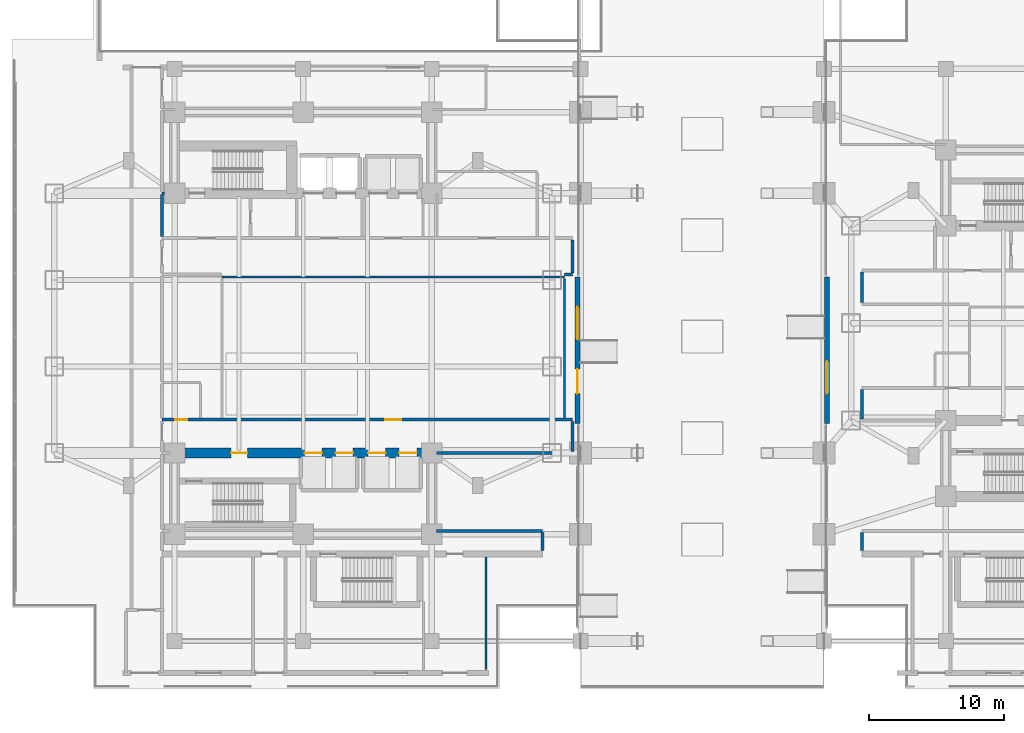
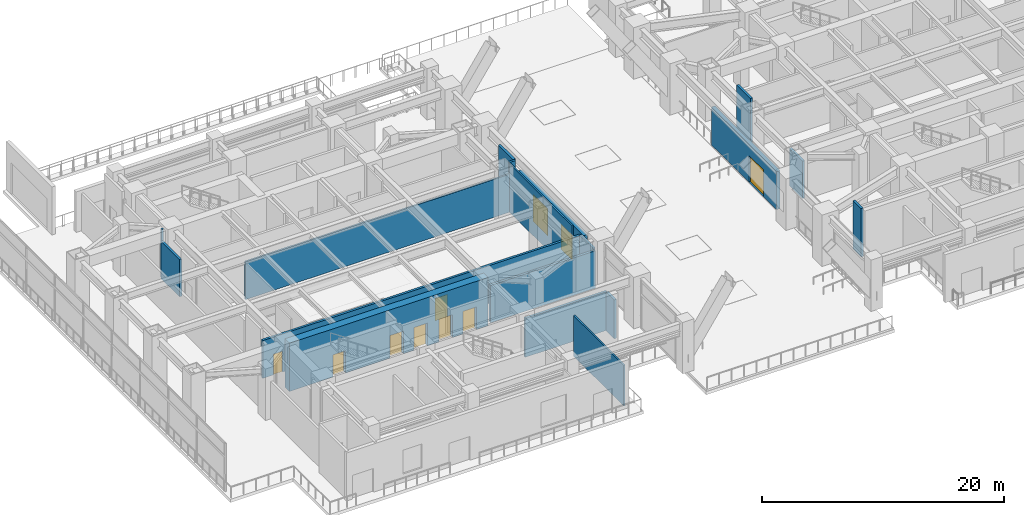
# One storey, part 11 of 27: 18 walls, 10 doors, 10 openings.
"""IFC4 building model written with IfcOpenShell, lengths in metres."""

from ifc_helpers import new_model, si_unit, direction, frame, frame_2d, origin, place, context, subcontext, project, spatial, rectangle, extrude, material, layer, layer_set, type_object, element, fill, save


model = new_model("IFC4")

# Units and contexts
model_context = context("Model", 3, precision=1e-05, world=origin(), true_north=direction((0.0, 1.0)))
body_context = subcontext(model_context, "Body", "Model", "MODEL_VIEW")
ifc_project = project(units=[si_unit("LENGTHUNIT", "METRE"), si_unit("AREAUNIT", "SQUARE_METRE"), si_unit("VOLUMEUNIT", "CUBIC_METRE"), si_unit("PLANEANGLEUNIT", "RADIAN"), si_unit("MASSUNIT", "GRAM", prefix="KILO")], contexts=[model_context])

# Site, building, storey
site_placement = place(None, origin())
site = spatial("IfcSite", under=ifc_project, at=site_placement, CompositionType="ELEMENT")
building_placement = place(site_placement, origin())
building = spatial("IfcBuilding", under=site, at=building_placement, Name="Mirazonda Arch Towers", CompositionType="ELEMENT")
storey_placement = place(building_placement, origin())
storey = spatial("IfcBuildingStorey", under=building, at=storey_placement, Name="L00", CompositionType="ELEMENT", Elevation=0.0)

# Wall, openings, doors
ifc_material_1 = material(Name="Concrete C60/75", Category="concrete")
ifc_layer_1 = layer(ifc_material_1, 0.75, Name="WALL-CORE-750")
ifc_layer_set_1 = layer_set([ifc_layer_1], Name="Concrete C60/75")
wall_type_1 = type_object("IfcWallType", Name="WALL-CORE-750", PredefinedType="SHEAR", material=ifc_layer_set_1)
wall_1_placement = place(storey_placement, frame((11.0, 18.39990234375, 0.0), z_axis=(0.0, 0.0, 1.0), x_axis=(1.0, 0.0, 0.0)))
wall_1 = element("IfcWall", 1, at=wall_1_placement, inside=storey, type_object=wall_type_1, Name="L00 T1S-N Core Shear Wall", PredefinedType="SHEAR", context=body_context, shape_type="SweptSolid", body=[
    extrude(rectangle(XDim=19.0, YDim=0.75, at=frame_2d((9.5, 0.0))), origin(), (0.0, 0.0, 1.0), 4.8798828125),
])
opening_1_placement = place(wall_1_placement, frame((4.175048828125, 0.0, 0.0)))
opening_1 = element("IfcOpeningElement", 2, at=opening_1_placement, cuts=wall_1, Name="Opening DR-117", PredefinedType="OPENING", context=body_context, shape_type="SweptSolid", body=[
    extrude(rectangle(XDim=1.199951171875, YDim=2.25, at=frame_2d((0.60009765625, 1.125))), frame((0.0, 0.385009765625, 0.0), z_axis=(0.0, -1.0, 0.0), x_axis=(1.0, 0.0, 0.0)), (0.0, 0.0, 1.0), 0.77001953125),
])
opening_2_placement = place(wall_1_placement, frame((9.60009765625, 0.0, 0.0)))
opening_2 = element("IfcOpeningElement", 3, at=opening_2_placement, cuts=wall_1, Name="Opening LD-111", PredefinedType="OPENING", context=body_context, shape_type="SweptSolid", body=[
    extrude(rectangle(XDim=1.300048828125, YDim=2.300048828125, at=frame_2d((0.64990234375, 1.14990234375))), frame((0.0, 0.385009765625, 0.0), z_axis=(0.0, -1.0, 0.0), x_axis=(1.0, 0.0, 0.0)), (0.0, 0.0, 1.0), 0.77001953125),
])
opening_3_placement = place(wall_1_placement, frame((11.89990234375, 0.0, 0.0)))
opening_3 = element("IfcOpeningElement", 4, at=opening_3_placement, cuts=wall_1, Name="Opening LD-111", PredefinedType="OPENING", context=body_context, shape_type="SweptSolid", body=[
    extrude(rectangle(XDim=1.300048828125, YDim=2.300048828125, at=frame_2d((0.64990234375, 1.14990234375))), frame((0.0, 0.385009765625, 0.0), z_axis=(0.0, -1.0, 0.0), x_axis=(1.0, 0.0, 0.0)), (0.0, 0.0, 1.0), 0.77001953125),
])
opening_4_placement = place(wall_1_placement, frame((14.300048828125, 0.0, 0.0)))
opening_4 = element("IfcOpeningElement", 5, at=opening_4_placement, cuts=wall_1, Name="Opening LD-111", PredefinedType="OPENING", context=body_context, shape_type="SweptSolid", body=[
    extrude(rectangle(XDim=1.300048828125, YDim=2.300048828125, at=frame_2d((0.64990234375, 1.14990234375))), frame((0.0, 0.385009765625, 0.0), z_axis=(0.0, -1.0, 0.0), x_axis=(1.0, 0.0, 0.0)), (0.0, 0.0, 1.0), 0.77001953125),
])
opening_5_placement = place(wall_1_placement, frame((16.60009765625, 0.0, 0.0)))
opening_5 = element("IfcOpeningElement", 6, at=opening_5_placement, cuts=wall_1, Name="Opening LD-111", PredefinedType="OPENING", context=body_context, shape_type="SweptSolid", body=[
    extrude(rectangle(XDim=1.300048828125, YDim=2.300048828125, at=frame_2d((0.64990234375, 1.14990234375))), frame((0.0, 0.385009765625, 0.0), z_axis=(0.0, -1.0, 0.0), x_axis=(1.0, 0.0, 0.0)), (0.0, 0.0, 1.0), 0.77001953125),
])
ifc_material_2 = material(Name="Architectural Brushed Steel S355", Category="steel")
door_type_1 = type_object("IfcDoorType", Name="DOOR-FFL-FD90-1200", OperationType="NOTDEFINED", PredefinedType="DOOR", material=ifc_material_2)
door_1_placement = place(opening_1_placement, origin())
door_1 = element("IfcDoor", 7, at=door_1_placement, inside=storey, type_object=door_type_1, Name="L00 South Core Stair & Lift Lobby Door", OperationType="SINGLE_SWING_LEFT", OverallHeight=2.25, OverallWidth=1.199951171875, PredefinedType="DOOR", context=body_context, shape_type="SweptSolid", body=[
    extrude(rectangle(XDim=1.199951171875, YDim=2.25, at=frame_2d((0.60009765625, 1.125))), frame((0.0, 0.02490234375, 0.0), z_axis=(0.0, -1.0, 0.0), x_axis=(1.0, 0.0, 0.0)), (0.0, 0.0, 1.0), 0.050048828125),
])
fill(opening_1, door_1)
door_type_2 = type_object("IfcDoorType", Name="DOOR-LIFT-LAND-1300", OperationType="NOTDEFINED", PredefinedType="DOOR", material=ifc_material_2)
door_2_placement = place(opening_2_placement, origin())
door_2 = element("IfcDoor", 8, at=door_2_placement, inside=storey, type_object=door_type_2, Name="L00 Lift Landing Sliding Door PL-T1M1", OperationType="DOUBLE_DOOR_SLIDING", OverallHeight=2.300048828125, OverallWidth=1.300048828125, PredefinedType="DOOR", context=body_context, shape_type="SweptSolid", body=[
    extrude(rectangle(XDim=1.300048828125, YDim=2.300048828125, at=frame_2d((0.64990234375, 1.14990234375))), frame((0.0, 0.02490234375, 0.0), z_axis=(0.0, -1.0, 0.0), x_axis=(1.0, 0.0, 0.0)), (0.0, 0.0, 1.0), 0.050048828125),
])
fill(opening_2, door_2)
door_3_placement = place(opening_3_placement, origin())
door_3 = element("IfcDoor", 9, at=door_3_placement, inside=storey, type_object=door_type_2, Name="L00 Lift Landing Sliding Door PL-T1M2", OperationType="DOUBLE_DOOR_SLIDING", OverallHeight=2.300048828125, OverallWidth=1.300048828125, PredefinedType="DOOR", context=body_context, shape_type="SweptSolid", body=[
    extrude(rectangle(XDim=1.300048828125, YDim=2.300048828125, at=frame_2d((0.64990234375, 1.14990234375))), frame((0.0, 0.02490234375, 0.0), z_axis=(0.0, -1.0, 0.0), x_axis=(1.0, 0.0, 0.0)), (0.0, 0.0, 1.0), 0.050048828125),
])
fill(opening_3, door_3)
door_4_placement = place(opening_4_placement, origin())
door_4 = element("IfcDoor", 10, at=door_4_placement, inside=storey, type_object=door_type_2, Name="L00 Lift Landing Sliding Door PL-T1H1", OperationType="DOUBLE_DOOR_SLIDING", OverallHeight=2.300048828125, OverallWidth=1.300048828125, PredefinedType="DOOR", context=body_context, shape_type="SweptSolid", body=[
    extrude(rectangle(XDim=1.300048828125, YDim=2.300048828125, at=frame_2d((0.64990234375, 1.14990234375))), frame((0.0, 0.02490234375, 0.0), z_axis=(0.0, -1.0, 0.0), x_axis=(1.0, 0.0, 0.0)), (0.0, 0.0, 1.0), 0.050048828125),
])
fill(opening_4, door_4)
door_5_placement = place(opening_5_placement, origin())
door_5 = element("IfcDoor", 11, at=door_5_placement, inside=storey, type_object=door_type_2, Name="L00 Lift Landing Sliding Door PL-T1H2", OperationType="DOUBLE_DOOR_SLIDING", OverallHeight=2.300048828125, OverallWidth=1.300048828125, PredefinedType="DOOR", context=body_context, shape_type="SweptSolid", body=[
    extrude(rectangle(XDim=1.300048828125, YDim=2.300048828125, at=frame_2d((0.64990234375, 1.14990234375))), frame((0.0, 0.02490234375, 0.0), z_axis=(0.0, -1.0, 0.0), x_axis=(1.0, 0.0, 0.0)), (0.0, 0.0, 1.0), 0.050048828125),
])
fill(opening_5, door_5)

ifc_material_3 = material(Name="Precast Concrete C40/50", Category="concrete")
ifc_layer_2 = layer(ifc_material_3, 0.35009765625, Name="WALL-EXT-WALL-350")
ifc_layer_set_2 = layer_set([ifc_layer_2], Name="Precast Concrete C40/50")
wall_type_2 = type_object("IfcWallType", Name="WALL-EXT-WALL-350", PredefinedType="SOLIDWALL", material=ifc_layer_set_2)
wall_2_placement = place(storey_placement, frame((40.780029296875, 31.39990234375, 0.0), z_axis=(0.0, 0.0, 1.0), x_axis=(0.0, -1.0, 0.0)))
wall_2 = element("IfcWall", 12, at=wall_2_placement, inside=storey, type_object=wall_type_2, Name="L00 West Arch Grand Lobby Entrance Wall WL-L00-ARCH-W", PredefinedType="SOLIDWALL", context=body_context, shape_type="SweptSolid", body=[
    extrude(rectangle(XDim=10.7998046875, YDim=0.35009765625, at=frame_2d((5.39990234375, 0.0))), origin(), (0.0, 0.0, 1.0), 3.83203125),
])
opening_6_placement = place(wall_2_placement, frame((2.199951171875, 0.0, 0.0)))
opening_6 = element("IfcOpeningElement", 13, at=opening_6_placement, cuts=wall_2, Name="Opening DR-105", PredefinedType="OPENING", context=body_context, shape_type="SweptSolid", body=[
    extrude(rectangle(XDim=2.39990234375, YDim=2.699951171875, at=frame_2d((1.199951171875, 1.35009765625))), frame((0.0, 0.18505859375, 0.0), z_axis=(0.0, -1.0, 0.0), x_axis=(1.0, 0.0, 0.0)), (0.0, 0.0, 1.0), 0.3701171875),
])
opening_7_placement = place(wall_2_placement, frame((6.800048828125, 0.0, 0.0)))
opening_7 = element("IfcOpeningElement", 14, at=opening_7_placement, cuts=wall_2, Name="Opening DR-118", PredefinedType="OPENING", context=body_context, shape_type="SweptSolid", body=[
    extrude(rectangle(XDim=1.800048828125, YDim=2.5, at=frame_2d((0.89990234375, 1.25))), frame((0.0, 0.18505859375, 0.0), z_axis=(0.0, -1.0, 0.0), x_axis=(1.0, 0.0, 0.0)), (0.0, 0.0, 1.0), 0.3701171875),
])
ifc_material_4 = material(Name="Architectural Hardwood Timber", Category="wood")
door_type_3 = type_object("IfcDoorType", Name="DOOR-ENTR-EXT-2400", OperationType="NOTDEFINED", PredefinedType="DOOR", material=ifc_material_4)
door_6_placement = place(opening_6_placement, origin())
door_6 = element("IfcDoor", 15, at=door_6_placement, inside=storey, type_object=door_type_3, Name="L00 Exterior Door DR-ARCH-WLOB1", OperationType="DOUBLE_DOOR_SINGLE_SWING", OverallHeight=2.699951171875, OverallWidth=2.39990234375, PredefinedType="DOOR", context=body_context, shape_type="SweptSolid", body=[
    extrude(rectangle(XDim=2.39990234375, YDim=2.699951171875, at=frame_2d((1.199951171875, 1.35009765625))), frame((0.0, 0.02490234375, 0.0), z_axis=(0.0, -1.0, 0.0), x_axis=(1.0, 0.0, 0.0)), (0.0, 0.0, 1.0), 0.050048828125),
])
fill(opening_6, door_6)
door_type_4 = type_object("IfcDoorType", Name="DOOR-SHOP-EXT-1800", OperationType="NOTDEFINED", PredefinedType="DOOR", material=ifc_material_4)
door_7_placement = place(opening_7_placement, origin())
door_7 = element("IfcDoor", 16, at=door_7_placement, inside=storey, type_object=door_type_4, Name="L00 Exterior Door DR-ARCH-WLOB2", OperationType="SINGLE_SWING_LEFT", OverallHeight=2.5, OverallWidth=1.800048828125, PredefinedType="DOOR", context=body_context, shape_type="SweptSolid", body=[
    extrude(rectangle(XDim=1.800048828125, YDim=2.5, at=frame_2d((0.89990234375, 1.25))), frame((0.0, 0.02490234375, 0.0), z_axis=(0.0, -1.0, 0.0), x_axis=(1.0, 0.0, 0.0)), (0.0, 0.0, 1.0), 0.050048828125),
])
fill(opening_7, door_7)

# Wall, opening, door
wall_3_placement = place(storey_placement, frame((59.219970703125, 20.60009765625, 0.0), z_axis=(0.0, 0.0, 1.0), x_axis=(0.0, 1.0, 0.0)))
wall_3 = element("IfcWall", 17, at=wall_3_placement, inside=storey, type_object=wall_type_2, Name="L00 East Arch Residences Lobby Entrance Wall WL-L00-ARCH-E", PredefinedType="SOLIDWALL", context=body_context, shape_type="SweptSolid", body=[
    extrude(rectangle(XDim=10.7998046875, YDim=0.35009765625, at=frame_2d((5.39990234375, 0.0))), origin(), (0.0, 0.0, 1.0), 3.83203125),
])
opening_8_placement = place(wall_3_placement, frame((2.199951171875, 0.0, 0.0)))
opening_8 = element("IfcOpeningElement", 18, at=opening_8_placement, cuts=wall_3, Name="Opening DR-105", PredefinedType="OPENING", context=body_context, shape_type="SweptSolid", body=[
    extrude(rectangle(XDim=2.39990234375, YDim=2.699951171875, at=frame_2d((1.199951171875, 1.35009765625))), frame((0.0, 0.18505859375, 0.0), z_axis=(0.0, -1.0, 0.0), x_axis=(1.0, 0.0, 0.0)), (0.0, 0.0, 1.0), 0.3701171875),
])
door_8_placement = place(opening_8_placement, origin())
door_8 = element("IfcDoor", 19, at=door_8_placement, inside=storey, type_object=door_type_3, Name="L00 Exterior Door DR-ARCH-ELOB1", OperationType="DOUBLE_DOOR_SINGLE_SWING", OverallHeight=2.699951171875, OverallWidth=2.39990234375, PredefinedType="DOOR", context=body_context, shape_type="SweptSolid", body=[
    extrude(rectangle(XDim=2.39990234375, YDim=2.699951171875, at=frame_2d((1.199951171875, 1.35009765625))), frame((0.0, 0.02490234375, 0.0), z_axis=(0.0, -1.0, 0.0), x_axis=(1.0, 0.0, 0.0)), (0.0, 0.0, 1.0), 0.050048828125),
])
fill(opening_8, door_8)

# Walls
ifc_material_5 = material(Name="Concrete C40/50", Category="concrete")
ifc_layer_3 = layer(ifc_material_5, 0.219970703125, Name="WALL-FFL-220")
ifc_layer_set_3 = layer_set([ifc_layer_3], Name="Concrete C40/50")
wall_type_3 = type_object("IfcWallType", Name="WALL-FFL-220", PredefinedType="SOLIDWALL", material=ifc_layer_set_3)
wall_4_placement = place(storey_placement, frame((30.3701171875, 12.64990234375, 0.0), z_axis=(0.0, 0.0, 1.0), x_axis=(1.0, 0.0, 0.0)))
element("IfcWall", 20, at=wall_4_placement, inside=storey, type_object=wall_type_3, Name="L00 Interior Partition 008", PredefinedType="SOLIDWALL", context=body_context, shape_type="SweptSolid", body=[
    extrude(rectangle(XDim=7.829833984375, YDim=0.219970703125, at=frame_2d((3.9150390625, 0.0))), origin(), (0.0, 0.0, 1.0), 3.924072265625),
])
wall_5_placement = place(storey_placement, frame((30.3701171875, 18.39990234375, 0.0), z_axis=(0.0, 0.0, 1.0), x_axis=(1.0, 0.0, 0.0)))
element("IfcWall", 21, at=wall_5_placement, inside=storey, type_object=wall_type_3, Name="L00 Interior Partition 017", PredefinedType="SOLIDWALL", context=body_context, shape_type="SweptSolid", body=[
    extrude(rectangle(XDim=10.02978515625, YDim=0.219970703125, at=frame_2d((5.014892578125, 0.0))), origin(), (0.0, 0.0, 1.0), 3.77197265625),
])

# Wall, openings, doors
wall_6_placement = place(storey_placement, frame((10.050048828125, 20.86669921875, 0.0), z_axis=(0.0, 0.0, 1.0), x_axis=(1.0, 0.0, 0.0)))
wall_6 = element("IfcWall", 22, at=wall_6_placement, inside=storey, type_object=wall_type_3, Name="L00 Interior Partition 020", PredefinedType="SOLIDWALL", context=body_context, shape_type="SweptSolid", body=[
    extrude(rectangle(XDim=30.349853515625, YDim=0.219970703125, at=frame_2d((15.1748046875, 0.0))), origin(), (0.0, 0.0, 1.0), 3.83203125),
])
opening_9_placement = place(wall_6_placement, frame((0.9951171875, 0.0, 0.0)))
opening_9 = element("IfcOpeningElement", 23, at=opening_9_placement, cuts=wall_6, Name="Opening DR-120", PredefinedType="OPENING", context=body_context, shape_type="SweptSolid", body=[
    extrude(rectangle(XDim=0.89990234375, YDim=2.10009765625, at=frame_2d((0.449951171875, 1.050048828125))), frame((0.0, 0.119873046875, 0.0), z_axis=(0.0, -1.0, 0.0), x_axis=(1.0, 0.0, 0.0)), (0.0, 0.0, 1.0), 0.239990234375),
])
opening_10_placement = place(wall_6_placement, frame((16.5, 0.0, 0.0)))
opening_10 = element("IfcOpeningElement", 24, at=opening_10_placement, cuts=wall_6, Name="Opening DR-117", PredefinedType="OPENING", context=body_context, shape_type="SweptSolid", body=[
    extrude(rectangle(XDim=1.199951171875, YDim=2.25, at=frame_2d((0.60009765625, 1.125))), frame((0.0, 0.119873046875, 0.0), z_axis=(0.0, -1.0, 0.0), x_axis=(1.0, 0.0, 0.0)), (0.0, 0.0, 1.0), 0.239990234375),
])
door_9_placement = place(opening_10_placement, origin())
door_9 = element("IfcDoor", 25, at=door_9_placement, inside=storey, type_object=door_type_1, Name="L00 Grand Hotel Arrival & Concierge Hall Door", OperationType="SINGLE_SWING_LEFT", OverallHeight=2.25, OverallWidth=1.199951171875, PredefinedType="DOOR", context=body_context, shape_type="SweptSolid", body=[
    extrude(rectangle(XDim=1.199951171875, YDim=2.25, at=frame_2d((0.60009765625, 1.125))), frame((0.0, 0.02490234375, 0.0), z_axis=(0.0, -1.0, 0.0), x_axis=(1.0, 0.0, 0.0)), (0.0, 0.0, 1.0), 0.050048828125),
])
fill(opening_10, door_9)
door_type_5 = type_object("IfcDoorType", Name="DOOR-WC-900", OperationType="NOTDEFINED", PredefinedType="DOOR", material=ifc_material_2)
door_10_placement = place(opening_9_placement, origin())
door_10 = element("IfcDoor", 26, at=door_10_placement, inside=storey, type_object=door_type_5, Name="L00 Common Podium Accessible WC Door", OperationType="SINGLE_SWING_LEFT", OverallHeight=2.10009765625, OverallWidth=0.89990234375, PredefinedType="DOOR", context=body_context, shape_type="SweptSolid", body=[
    extrude(rectangle(XDim=0.89990234375, YDim=2.10009765625, at=frame_2d((0.449951171875, 1.050048828125))), frame((0.0, 0.02490234375, 0.0), z_axis=(0.0, -1.0, 0.0), x_axis=(1.0, 0.0, 0.0)), (0.0, 0.0, 1.0), 0.050048828125),
])
fill(opening_9, door_10)

# Walls
wall_7_placement = place(storey_placement, frame((39.820068359375, 31.60009765625, 0.0), z_axis=(0.0, 0.0, 1.0), x_axis=(1.0, 0.0, 0.0)))
element("IfcWall", 27, at=wall_7_placement, inside=storey, type_object=wall_type_3, Name="L00 Interior Partition 032", PredefinedType="SOLIDWALL", context=body_context, shape_type="SweptSolid", body=[
    extrude(rectangle(XDim=0.579833984375, YDim=0.219970703125, at=frame_2d((0.2900390625, 0.0))), origin(), (0.0, 0.0, 1.0), 4.8798828125),
])
wall_8_placement = place(storey_placement, frame((10.068603515625, 34.4033203125, 0.0), z_axis=(0.0, 0.0, 1.0), x_axis=(0.0, 1.0, 0.0)))
element("IfcWall", 28, at=wall_8_placement, inside=storey, type_object=wall_type_3, Name="L00 Interior Partition 057", PredefinedType="SOLIDWALL", context=body_context, shape_type="SweptSolid", body=[
    extrude(rectangle(XDim=3.09423828125, YDim=0.219970703125, at=frame_2d((1.547119140625, 0.0))), origin(), (0.0, 0.0, 1.0), 3.77197265625),
])
wall_9_placement = place(storey_placement, frame((38.199951171875, 11.18505859375, 0.0), z_axis=(0.0, 0.0, 1.0), x_axis=(0.0, 1.0, 0.0)))
element("IfcWall", 29, at=wall_9_placement, inside=storey, type_object=wall_type_3, Name="L00 Interior Partition 084", PredefinedType="SOLIDWALL", context=body_context, shape_type="SweptSolid", body=[
    extrude(rectangle(XDim=1.344970703125, YDim=0.219970703125, at=frame_2d((0.67236328125, 0.0))), origin(), (0.0, 0.0, 1.0), 3.924072265625),
])
wall_10_placement = place(storey_placement, frame((40.39990234375, 18.52001953125, 0.0), z_axis=(0.0, 0.0, 1.0), x_axis=(0.0, 1.0, 0.0)))
element("IfcWall", 30, at=wall_10_placement, inside=storey, type_object=wall_type_3, Name="L00 Interior Partition 086", PredefinedType="SOLIDWALL", context=body_context, shape_type="SweptSolid", body=[
    extrude(rectangle(XDim=2.2265625, YDim=0.219970703125, at=frame_2d((1.11328125, 0.0))), origin(), (0.0, 0.0, 1.0), 3.924072265625),
])
wall_11_placement = place(storey_placement, frame((40.39990234375, 31.719970703125, 0.0), z_axis=(0.0, 0.0, 1.0), x_axis=(0.0, 1.0, 0.0)))
element("IfcWall", 31, at=wall_11_placement, inside=storey, type_object=wall_type_3, Name="L00 Interior Partition 087", PredefinedType="SOLIDWALL", context=body_context, shape_type="SweptSolid", body=[
    extrude(rectangle(XDim=2.443359375, YDim=0.219970703125, at=frame_2d((1.2216796875, 0.0))), origin(), (0.0, 0.0, 1.0), 4.8798828125),
])
wall_12_placement = place(storey_placement, frame((61.800048828125, 11.18505859375, 0.0), z_axis=(0.0, 0.0, 1.0), x_axis=(0.0, 1.0, 0.0)))
element("IfcWall", 32, at=wall_12_placement, inside=storey, type_object=wall_type_3, Name="L00 Interior Partition 089", PredefinedType="SOLIDWALL", context=body_context, shape_type="SweptSolid", body=[
    extrude(rectangle(XDim=1.344970703125, YDim=0.219970703125, at=frame_2d((0.67236328125, 0.0))), origin(), (0.0, 0.0, 1.0), 4.8798828125),
])
wall_13_placement = place(storey_placement, frame((61.800048828125, 20.919921875, 0.0), z_axis=(0.0, 0.0, 1.0), x_axis=(0.0, 1.0, 0.0)))
element("IfcWall", 33, at=wall_13_placement, inside=storey, type_object=wall_type_3, Name="L00 Interior Partition 090", PredefinedType="SOLIDWALL", context=body_context, shape_type="SweptSolid", body=[
    extrude(rectangle(XDim=2.16015625, YDim=0.219970703125, at=frame_2d((1.080078125, 0.0))), origin(), (0.0, 0.0, 1.0), 3.77197265625),
])
wall_14_placement = place(storey_placement, frame((61.800048828125, 29.52001953125, 0.0), z_axis=(0.0, 0.0, 1.0), x_axis=(0.0, 1.0, 0.0)))
element("IfcWall", 34, at=wall_14_placement, inside=storey, type_object=wall_type_3, Name="L00 Interior Partition 091", PredefinedType="SOLIDWALL", context=body_context, shape_type="SweptSolid", body=[
    extrude(rectangle(XDim=2.260009765625, YDim=0.219970703125, at=frame_2d((1.1298828125, 0.0))), origin(), (0.0, 0.0, 1.0), 4.8798828125),
])
ifc_material_6 = material(Name="Fire-Rated Gypsum Stud Partition")
ifc_layer_4 = layer(ifc_material_6, 0.14990234375, Name="WALL-PART-CORR-150")
ifc_layer_set_4 = layer_set([ifc_layer_4], Name="Fire-Rated Gypsum Stud Partition")
wall_type_4 = type_object("IfcWallType", Name="WALL-PART-CORR-150", PredefinedType="PARTITIONING", material=ifc_layer_set_4)
wall_15_placement = place(storey_placement, frame((14.5, 31.39990234375, 0.0), z_axis=(0.0, 0.0, 1.0), x_axis=(1.0, 0.0, 0.0)))
element("IfcWall", 35, at=wall_15_placement, inside=storey, type_object=wall_type_4, Name="L00 Interior Partition 030", PredefinedType="PARTITIONING", context=body_context, shape_type="SweptSolid", body=[
    extrude(rectangle(XDim=25.300048828125, YDim=0.14990234375, at=frame_2d((12.64990234375, 0.0))), origin(), (0.0, 0.0, 1.0), 3.83203125),
])
wall_16_placement = place(storey_placement, frame((34.0, 2.39990234375, 0.0), z_axis=(0.0, 0.0, 1.0), x_axis=(0.0, 1.0, 0.0)))
element("IfcWall", 36, at=wall_16_placement, inside=storey, type_object=wall_type_4, Name="L00 Interior Partition 081", PredefinedType="PARTITIONING", context=body_context, shape_type="SweptSolid", body=[
    extrude(rectangle(XDim=8.315185546875, YDim=0.14990234375, at=frame_2d((4.15771484375, 0.0))), origin(), (0.0, 0.0, 1.0), 4.09912109375),
])
wall_17_placement = place(storey_placement, frame((39.800048828125, 21.0, 0.0), z_axis=(0.0, 0.0, 1.0), x_axis=(0.0, 1.0, 0.0)))
element("IfcWall", 37, at=wall_17_placement, inside=storey, type_object=wall_type_4, Name="L00 Interior Partition 085", PredefinedType="PARTITIONING", context=body_context, shape_type="SweptSolid", body=[
    extrude(rectangle(XDim=10.31494140625, YDim=0.14990234375, at=frame_2d((5.157470703125, 0.0))), origin(), (0.0, 0.0, 1.0), 4.8798828125),
])
ifc_material_7 = material(Name="Concrete C50/60", Category="concrete")
ifc_layer_5 = layer(ifc_material_7, 0.18505859375, Name="WALL-STAIR-CORE-185")
ifc_layer_set_5 = layer_set([ifc_layer_5], Name="Concrete C50/60")
wall_type_5 = type_object("IfcWallType", Name="WALL-STAIR-CORE-185", PredefinedType="SHEAR", material=ifc_layer_set_5)
wall_18_placement = place(storey_placement, frame((10.050048828125, 37.60009765625, 0.0), z_axis=(0.0, 0.0, 1.0), x_axis=(1.0, 0.0, 0.0)))
element("IfcWall", 38, at=wall_18_placement, inside=storey, type_object=wall_type_5, Name="L00 Stair Core Shear Wall 035", PredefinedType="SHEAR", context=body_context, shape_type="SweptSolid", body=[
    extrude(rectangle(XDim=0.18505859375, YDim=0.18505859375, at=frame_2d((0.092529296875, 0.0))), origin(), (0.0, 0.0, 1.0), 4.8798828125),
])

save(model, "model.ifc")
